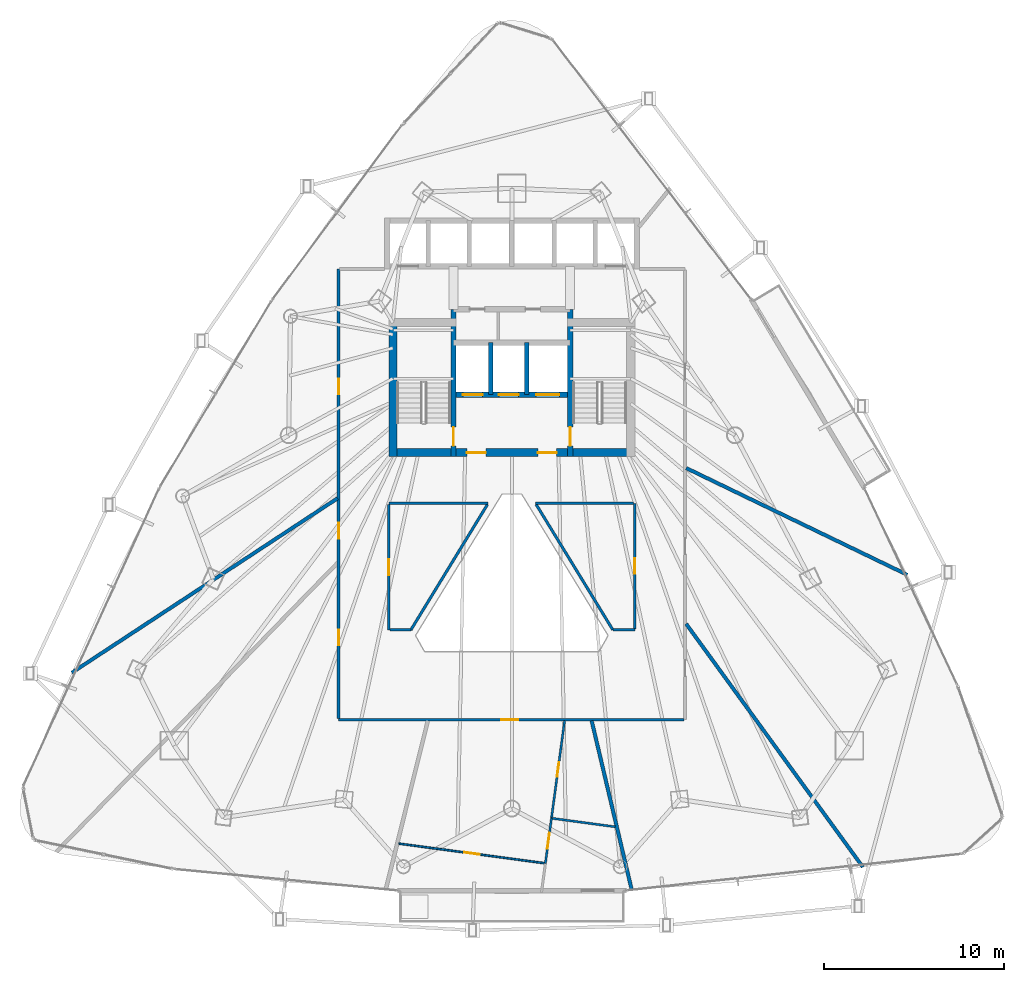
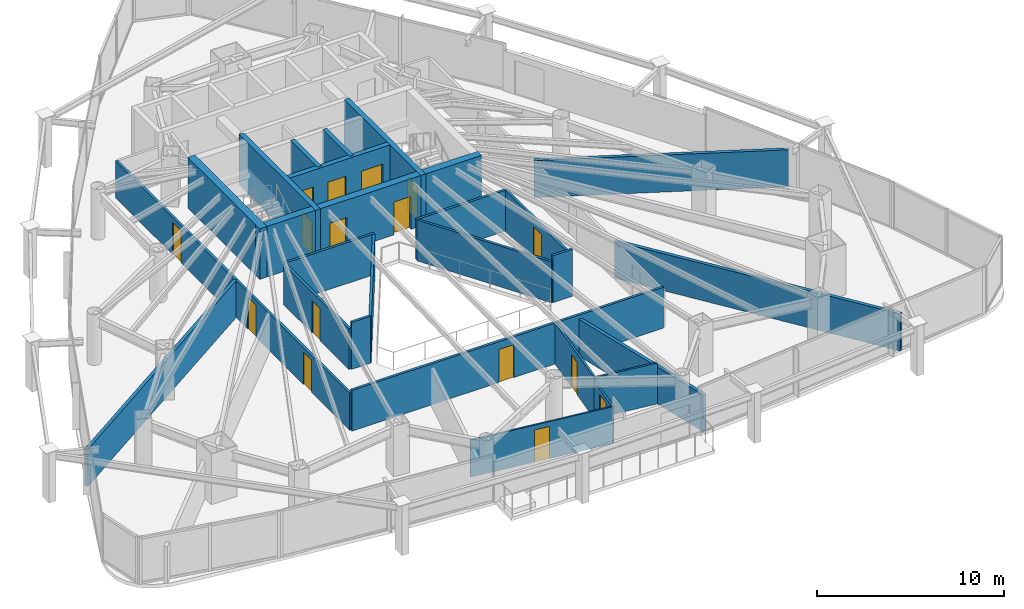
# One storey, part 29 of 33: 25 walls, 16 doors, 16 openings.
"""IFC4 building model written with IfcOpenShell, lengths in metres."""

from ifc_helpers import new_model, si_unit, direction, frame, frame_2d, origin, place, context, subcontext, project, spatial, rectangle, extrude, material, layer, layer_set, type_object, element, fill, save


model = new_model("IFC4")

# Units and contexts
model_context = context("Model", 3, precision=1e-05, world=origin(), true_north=direction((0.0, 1.0)))
body_context = subcontext(model_context, "Body", "Model", "MODEL_VIEW")
ifc_project = project(units=[si_unit("LENGTHUNIT", "METRE"), si_unit("AREAUNIT", "SQUARE_METRE"), si_unit("VOLUMEUNIT", "CUBIC_METRE"), si_unit("PLANEANGLEUNIT", "RADIAN"), si_unit("MASSUNIT", "GRAM", prefix="KILO")], contexts=[model_context])

# Site, building, storey
site_placement = place(None, origin())
site = spatial("IfcSite", under=ifc_project, at=site_placement, CompositionType="ELEMENT")
building_placement = place(site_placement, origin())
building = spatial("IfcBuilding", under=site, at=building_placement, Name="Orvanel Arch Residences", CompositionType="ELEMENT")
storey_placement = place(building_placement, frame((0.0, 0.0, 87.35009765625)))
storey = spatial("IfcBuildingStorey", under=building, at=storey_placement, Name="L24", CompositionType="ELEMENT", Elevation=87.35009765625)

# Walls
ifc_material_1 = material(Name="Concrete N50 (50 MPa)", Category="concrete")
ifc_layer_1 = layer(ifc_material_1, 0.25)
ifc_layer_set_1 = layer_set([ifc_layer_1], Name="Concrete N50 (50 MPa)")
wall_type_1 = type_object("IfcWallType", Name="SW-CORE-250", PredefinedType="SHEAR", material=ifc_layer_set_1)
for number, where, z_axis, x_axis, name in (
    (1, (31.824951171875, 29.89990234375, 0.0), (0.0, 0.0, 1.0), (0.0, 1.0, 0.0), "L24 Emergency Lift Inter-Shaft Wall F12"),
    (2, (33.824951171875, 29.89990234375, 0.0), (0.0, 0.0, 1.0), (0.0, 1.0, 0.0), "L24 Emergency Lift Inter-Shaft Wall F2G"),
):
    element("IfcWall", number, at=place(storey_placement, frame(where, z_axis=z_axis, x_axis=x_axis)), inside=storey, type_object=wall_type_1, Name=name, PredefinedType="SHEAR", context=body_context, shape_type="SweptSolid", body=[
        extrude(rectangle(XDim=2.900146484375, YDim=0.25, at=frame_2d((1.4501953125, 0.0))), origin(), (0.0, 0.0, 1.0), 3.2998046875),
    ])

# Wall, opening, door
ifc_material_2 = material(Name="Concrete S80 (80 MPa)", Category="concrete")
ifc_layer_2 = layer(ifc_material_2, 0.300048828125)
ifc_layer_set_2 = layer_set([ifc_layer_2], Name="Concrete S80 (80 MPa)")
wall_type_2 = type_object("IfcWallType", Name="SW-CORE-300", PredefinedType="SHEAR", material=ifc_layer_set_2)
wall_1_placement = place(storey_placement, frame((29.75, 26.449951171875, 0.0), z_axis=(0.0, 0.0, 1.0), x_axis=(0.0, 1.0, 0.0)))
wall_1 = element("IfcWall", 3, at=wall_1_placement, inside=storey, type_object=wall_type_2, Name="L24 West Inner Core Spine Shear Wall", PredefinedType="SHEAR", context=body_context, shape_type="SweptSolid", body=[
    extrude(rectangle(XDim=8.199951171875, YDim=0.300048828125, at=frame_2d((4.10009765625, 0.0))), origin(), (0.0, 0.0, 1.0), 3.2998046875),
])
opening_1_placement = place(wall_1_placement, frame((0.60009765625, 0.0, 0.0)))
opening_1 = element("IfcOpeningElement", 4, at=opening_1_placement, cuts=wall_1, Name="Opening DF-120", PredefinedType="OPENING", context=body_context, shape_type="SweptSolid", body=[
    extrude(rectangle(XDim=1.050048828125, YDim=2.14990234375, at=frame_2d((0.52490234375, 1.074951171875))), frame((0.0, 0.159912109375, 0.0), z_axis=(0.0, -1.0, 0.0), x_axis=(1.0, 0.0, 0.0)), (0.0, 0.0, 1.0), 0.320068359375),
])
ifc_material_3 = material(Name="Galvanised steel fire-resisting door assembly", Category="steel")
door_type_1 = type_object("IfcDoorType", Name="DR-FD120-1050", OperationType="NOTDEFINED", PredefinedType="DOOR", material=ifc_material_3)
door_1_placement = place(opening_1_placement, origin())
door_1 = element("IfcDoor", 5, at=door_1_placement, inside=storey, type_object=door_type_1, Name="DR-L24-ST1 L24 Stair 1 Fire Door", OperationType="SINGLE_SWING_LEFT", OverallHeight=2.14990234375, OverallWidth=1.050048828125, PredefinedType="DOOR", context=body_context, shape_type="SweptSolid", body=[
    extrude(rectangle(XDim=1.050048828125, YDim=2.14990234375, at=frame_2d((0.52490234375, 1.074951171875))), frame((0.0, 0.02490234375, 0.0), z_axis=(0.0, -1.0, 0.0), x_axis=(1.0, 0.0, 0.0)), (0.0, 0.0, 1.0), 0.050048828125),
])
fill(opening_1, door_1)

wall_2_placement = place(storey_placement, frame((36.25, 26.449951171875, 0.0), z_axis=(0.0, 0.0, 1.0), x_axis=(0.0, 1.0, 0.0)))
wall_2 = element("IfcWall", 6, at=wall_2_placement, inside=storey, type_object=wall_type_2, Name="L24 East Inner Core Spine Shear Wall", PredefinedType="SHEAR", context=body_context, shape_type="SweptSolid", body=[
    extrude(rectangle(XDim=8.199951171875, YDim=0.300048828125, at=frame_2d((4.10009765625, 0.0))), origin(), (0.0, 0.0, 1.0), 3.2998046875),
])
opening_2_placement = place(wall_2_placement, frame((0.60009765625, 0.0, 0.0)))
opening_2 = element("IfcOpeningElement", 7, at=opening_2_placement, cuts=wall_2, Name="Opening DF-120", PredefinedType="OPENING", context=body_context, shape_type="SweptSolid", body=[
    extrude(rectangle(XDim=1.050048828125, YDim=2.14990234375, at=frame_2d((0.52490234375, 1.074951171875))), frame((0.0, 0.159912109375, 0.0), z_axis=(0.0, -1.0, 0.0), x_axis=(1.0, 0.0, 0.0)), (0.0, 0.0, 1.0), 0.320068359375),
])
door_2_placement = place(opening_2_placement, origin())
door_2 = element("IfcDoor", 8, at=door_2_placement, inside=storey, type_object=door_type_1, Name="DR-L24-ST2 L24 Stair 2 Fire Door", OperationType="SINGLE_SWING_RIGHT", OverallHeight=2.14990234375, OverallWidth=1.050048828125, PredefinedType="DOOR", context=body_context, shape_type="SweptSolid", body=[
    extrude(rectangle(XDim=1.050048828125, YDim=2.14990234375, at=frame_2d((0.52490234375, 1.074951171875))), frame((0.0, 0.02490234375, 0.0), z_axis=(0.0, -1.0, 0.0), x_axis=(1.0, 0.0, 0.0)), (0.0, 0.0, 1.0), 0.050048828125),
])
fill(opening_2, door_2)

# Wall, openings, doors
wall_3_placement = place(storey_placement, frame((36.25, 29.89990234375, 0.0), z_axis=(0.0, 0.0, 1.0), x_axis=(-1.0, 0.0, 0.0)))
wall_3 = element("IfcWall", 9, at=wall_3_placement, inside=storey, type_object=wall_type_2, Name="L24 Emergency Lift Front Core Shear Wall", PredefinedType="SHEAR", context=body_context, shape_type="SweptSolid", body=[
    extrude(rectangle(XDim=6.5, YDim=0.300048828125, at=frame_2d((3.25, 0.0))), origin(), (0.0, 0.0, 1.0), 3.2998046875),
])
opening_3_placement = place(wall_3_placement, frame((4.875, 0.0, 0.0)))
opening_3 = element("IfcOpeningElement", 10, at=opening_3_placement, cuts=wall_3, Name="Opening LD-110", PredefinedType="OPENING", context=body_context, shape_type="SweptSolid", body=[
    extrude(rectangle(XDim=1.10009765625, YDim=2.199951171875, at=frame_2d((0.550048828125, 1.10009765625))), frame((0.0, 0.159912109375, 0.0), z_axis=(0.0, -1.0, 0.0), x_axis=(1.0, 0.0, 0.0)), (0.0, 0.0, 1.0), 0.320068359375),
])
opening_4_placement = place(wall_3_placement, frame((2.875, 0.0, 0.0)))
opening_4 = element("IfcOpeningElement", 11, at=opening_4_placement, cuts=wall_3, Name="Opening LD-110", PredefinedType="OPENING", context=body_context, shape_type="SweptSolid", body=[
    extrude(rectangle(XDim=1.10009765625, YDim=2.199951171875, at=frame_2d((0.550048828125, 1.10009765625))), frame((0.0, 0.159912109375, 0.0), z_axis=(0.0, -1.0, 0.0), x_axis=(1.0, 0.0, 0.0)), (0.0, 0.0, 1.0), 0.320068359375),
])
opening_5_placement = place(wall_3_placement, frame((0.60009765625, 0.0, 0.0)))
opening_5 = element("IfcOpeningElement", 12, at=opening_5_placement, cuts=wall_3, Name="Opening LD-130", PredefinedType="OPENING", context=body_context, shape_type="SweptSolid", body=[
    extrude(rectangle(XDim=1.300048828125, YDim=2.199951171875, at=frame_2d((0.64990234375, 1.10009765625))), frame((0.0, 0.159912109375, 0.0), z_axis=(0.0, -1.0, 0.0), x_axis=(1.0, 0.0, 0.0)), (0.0, 0.0, 1.0), 0.320068359375),
])
door_type_2 = type_object("IfcDoorType", Name="DR-LFT-1100", OperationType="NOTDEFINED", PredefinedType="DOOR", material=ifc_material_3)
door_3_placement = place(opening_3_placement, origin())
door_3 = element("IfcDoor", 13, at=door_3_placement, inside=storey, type_object=door_type_2, Name="LD-F1-L24 L24 Lift F1 Sliding Landing Door", OperationType="DOUBLE_DOOR_SLIDING", OverallHeight=2.199951171875, OverallWidth=1.10009765625, PredefinedType="DOOR", context=body_context, shape_type="SweptSolid", body=[
    extrude(rectangle(XDim=1.10009765625, YDim=2.199951171875, at=frame_2d((0.550048828125, 1.10009765625))), frame((0.0, 0.02490234375, 0.0), z_axis=(0.0, -1.0, 0.0), x_axis=(1.0, 0.0, 0.0)), (0.0, 0.0, 1.0), 0.050048828125),
])
fill(opening_3, door_3)
door_4_placement = place(opening_4_placement, origin())
door_4 = element("IfcDoor", 14, at=door_4_placement, inside=storey, type_object=door_type_2, Name="LD-F2-L24 L24 Lift F2 Sliding Landing Door", OperationType="DOUBLE_DOOR_SLIDING", OverallHeight=2.199951171875, OverallWidth=1.10009765625, PredefinedType="DOOR", context=body_context, shape_type="SweptSolid", body=[
    extrude(rectangle(XDim=1.10009765625, YDim=2.199951171875, at=frame_2d((0.550048828125, 1.10009765625))), frame((0.0, 0.02490234375, 0.0), z_axis=(0.0, -1.0, 0.0), x_axis=(1.0, 0.0, 0.0)), (0.0, 0.0, 1.0), 0.050048828125),
])
fill(opening_4, door_4)
door_type_3 = type_object("IfcDoorType", Name="DR-LFT-1300", OperationType="NOTDEFINED", PredefinedType="DOOR", material=ifc_material_3)
door_5_placement = place(opening_5_placement, origin())
door_5 = element("IfcDoor", 15, at=door_5_placement, inside=storey, type_object=door_type_3, Name="LD-G1-L24 L24 Lift G1 Sliding Landing Door", OperationType="DOUBLE_DOOR_SLIDING", OverallHeight=2.199951171875, OverallWidth=1.300048828125, PredefinedType="DOOR", context=body_context, shape_type="SweptSolid", body=[
    extrude(rectangle(XDim=1.300048828125, YDim=2.199951171875, at=frame_2d((0.64990234375, 1.10009765625))), frame((0.0, 0.02490234375, 0.0), z_axis=(0.0, -1.0, 0.0), x_axis=(1.0, 0.0, 0.0)), (0.0, 0.0, 1.0), 0.050048828125),
])
fill(opening_5, door_5)

ifc_layer_3 = layer(ifc_material_2, 0.449951171875)
ifc_layer_set_3 = layer_set([ifc_layer_3], Name="Concrete S80 (80 MPa)")
wall_type_3 = type_object("IfcWallType", Name="SW-CORE-450", PredefinedType="SHEAR", material=ifc_layer_set_3)
wall_4_placement = place(storey_placement, frame((26.14990234375, 26.675048828125, 0.0), z_axis=(0.0, 0.0, 1.0), x_axis=(1.0, 0.0, 0.0)))
wall_4 = element("IfcWall", 16, at=wall_4_placement, inside=storey, type_object=wall_type_3, Name="L24 South Core Shear Wall", PredefinedType="SHEAR", context=body_context, shape_type="SweptSolid", body=[
    extrude(rectangle(XDim=13.7001953125, YDim=0.449951171875, at=frame_2d((6.85009765625, 0.0))), origin(), (0.0, 0.0, 1.0), 3.2998046875),
])
opening_6_placement = place(wall_4_placement, frame((4.35009765625, 0.0, 0.0)))
opening_6 = element("IfcOpeningElement", 17, at=opening_6_placement, cuts=wall_4, Name="Opening DF-060", PredefinedType="OPENING", context=body_context, shape_type="SweptSolid", body=[
    extrude(rectangle(XDim=1.050048828125, YDim=2.14990234375, at=frame_2d((0.52490234375, 1.074951171875))), frame((0.0, 0.23486328125, 0.0), z_axis=(0.0, -1.0, 0.0), x_axis=(1.0, 0.0, 0.0)), (0.0, 0.0, 1.0), 0.469970703125),
])
opening_7_placement = place(wall_4_placement, frame((8.300048828125, 0.0, 0.0)))
opening_7 = element("IfcOpeningElement", 18, at=opening_7_placement, cuts=wall_4, Name="Opening DF-060", PredefinedType="OPENING", context=body_context, shape_type="SweptSolid", body=[
    extrude(rectangle(XDim=1.050048828125, YDim=2.14990234375, at=frame_2d((0.52490234375, 1.074951171875))), frame((0.0, 0.23486328125, 0.0), z_axis=(0.0, -1.0, 0.0), x_axis=(1.0, 0.0, 0.0)), (0.0, 0.0, 1.0), 0.469970703125),
])
door_type_4 = type_object("IfcDoorType", Name="DR-FD60-1050", OperationType="NOTDEFINED", PredefinedType="DOOR", material=ifc_material_3)
door_6_placement = place(opening_6_placement, origin())
door_6 = element("IfcDoor", 19, at=door_6_placement, inside=storey, type_object=door_type_4, Name="DR-L24-FFL-W L24 West Smoke Lobby Door", OperationType="SINGLE_SWING_LEFT", OverallHeight=2.14990234375, OverallWidth=1.050048828125, PredefinedType="DOOR", context=body_context, shape_type="SweptSolid", body=[
    extrude(rectangle(XDim=1.050048828125, YDim=2.14990234375, at=frame_2d((0.52490234375, 1.074951171875))), frame((0.0, 0.02490234375, 0.0), z_axis=(0.0, -1.0, 0.0), x_axis=(1.0, 0.0, 0.0)), (0.0, 0.0, 1.0), 0.050048828125),
])
fill(opening_6, door_6)
door_7_placement = place(opening_7_placement, origin())
door_7 = element("IfcDoor", 20, at=door_7_placement, inside=storey, type_object=door_type_4, Name="DR-L24-FFL-E L24 East Smoke Lobby Door", OperationType="SINGLE_SWING_RIGHT", OverallHeight=2.14990234375, OverallWidth=1.050048828125, PredefinedType="DOOR", context=body_context, shape_type="SweptSolid", body=[
    extrude(rectangle(XDim=1.050048828125, YDim=2.14990234375, at=frame_2d((0.52490234375, 1.074951171875))), frame((0.0, 0.02490234375, 0.0), z_axis=(0.0, -1.0, 0.0), x_axis=(1.0, 0.0, 0.0)), (0.0, 0.0, 1.0), 0.050048828125),
])
fill(opening_7, door_7)

# Wall
wall_5_placement = place(storey_placement, frame((26.375, 26.449951171875, 0.0), z_axis=(0.0, 0.0, 1.0), x_axis=(0.0, 1.0, 0.0)))
element("IfcWall", 21, at=wall_5_placement, inside=storey, type_object=wall_type_3, Name="L24 West Stair Shear Wall", PredefinedType="SHEAR", context=body_context, shape_type="SweptSolid", body=[
    extrude(rectangle(XDim=7.699951171875, YDim=0.449951171875, at=frame_2d((3.85009765625, 0.0))), origin(), (0.0, 0.0, 1.0), 3.2998046875),
])

# Wall, opening, door
ifc_material_4 = material(Name="Fire-rated plasterboard lined steel stud partition", Category="steel")
ifc_layer_4 = layer(ifc_material_4, 0.14990234375)
ifc_layer_set_4 = layer_set([ifc_layer_4], Name="Fire-rated plasterboard lined steel stud partition")
wall_type_4 = type_object("IfcWallType", Name="W-COR-150", PredefinedType="PARTITIONING", material=ifc_layer_set_4)
wall_6_placement = place(storey_placement, frame((42.590087890625, 11.800048828125, 0.0), z_axis=(0.0, 0.0, 1.0), x_axis=(-1.0, 0.0, 0.0)))
wall_6 = element("IfcWall", 22, at=wall_6_placement, inside=storey, type_object=wall_type_4, Name="L24 Corridor Fire-Rated Partition", PredefinedType="PARTITIONING", context=body_context, shape_type="SweptSolid", body=[
    extrude(rectangle(XDim=19.239990234375, YDim=0.14990234375, at=frame_2d((9.6201171875, 0.0))), origin(), (0.0, 0.0, 1.0), 2.6689453125),
])
opening_8_placement = place(wall_6_placement, frame((9.2451171875, 0.0, 0.0)))
opening_8 = element("IfcOpeningElement", 23, at=opening_8_placement, cuts=wall_6, Name="Opening DA-092", PredefinedType="OPENING", context=body_context, shape_type="SweptSolid", body=[
    extrude(rectangle(XDim=0.919921875, YDim=2.14990234375, at=frame_2d((0.4599609375, 1.074951171875))), frame((0.0, 0.0849609375, 0.0), z_axis=(0.0, -1.0, 0.0), x_axis=(1.0, 0.0, 0.0)), (0.0, 0.0, 1.0), 0.169921875),
])
ifc_material_5 = material(Name="Solid-core European oak veneer fire door leaf", Category="wood")
door_type_5 = type_object("IfcDoorType", Name="DR-APT-920", OperationType="NOTDEFINED", PredefinedType="DOOR", material=ifc_material_5)
door_8_placement = place(opening_8_placement, origin())
door_8 = element("IfcDoor", 24, at=door_8_placement, inside=storey, type_object=door_type_5, Name="DR-L24-F-ENT L24 Studio F Entrance Door", OperationType="SINGLE_SWING_LEFT", OverallHeight=2.14990234375, OverallWidth=0.919921875, PredefinedType="DOOR", context=body_context, shape_type="SweptSolid", body=[
    extrude(rectangle(XDim=0.919921875, YDim=2.14990234375, at=frame_2d((0.4599609375, 1.074951171875))), frame((0.0, 0.02490234375, 0.0), z_axis=(0.0, -1.0, 0.0), x_axis=(1.0, 0.0, 0.0)), (0.0, 0.0, 1.0), 0.050048828125),
])
fill(opening_8, door_8)

# Wall, openings, doors
wall_7_placement = place(storey_placement, frame((23.35009765625, 11.860107421875, 0.0), z_axis=(0.0, 0.0, 1.0), x_axis=(0.0, 1.0, 0.0)))
wall_7 = element("IfcWall", 25, at=wall_7_placement, inside=storey, type_object=wall_type_4, Name="L24 Corridor Fire-Rated Partition", PredefinedType="PARTITIONING", context=body_context, shape_type="SweptSolid", body=[
    extrude(rectangle(XDim=25.039794921875, YDim=0.14990234375, at=frame_2d((12.52001953125, 0.0))), origin(), (0.0, 0.0, 1.0), 2.412841796875),
])
opening_9_placement = place(wall_7_placement, frame((18.06103515625, 0.0, 0.0)))
opening_9 = element("IfcOpeningElement", 26, at=opening_9_placement, cuts=wall_7, Name="Opening DI-088", PredefinedType="OPENING", context=body_context, shape_type="SweptSolid", body=[
    extrude(rectangle(XDim=0.8798828125, YDim=2.10009765625, at=frame_2d((0.43994140625, 1.050048828125))), frame((0.0, 0.0849609375, 0.0), z_axis=(0.0, -1.0, 0.0), x_axis=(1.0, 0.0, 0.0)), (0.0, 0.0, 1.0), 0.169921875),
])
opening_10_placement = place(wall_7_placement, frame((4.072998046875, 0.0, 0.0)))
opening_10 = element("IfcOpeningElement", 27, at=opening_10_placement, cuts=wall_7, Name="Opening DI-088", PredefinedType="OPENING", context=body_context, shape_type="SweptSolid", body=[
    extrude(rectangle(XDim=0.8798828125, YDim=2.10009765625, at=frame_2d((0.43994140625, 1.050048828125))), frame((0.0, 0.0849609375, 0.0), z_axis=(0.0, -1.0, 0.0), x_axis=(1.0, 0.0, 0.0)), (0.0, 0.0, 1.0), 0.169921875),
])
opening_11_placement = place(wall_7_placement, frame((10.028076171875, 0.0, 0.0)))
opening_11 = element("IfcOpeningElement", 28, at=opening_11_placement, cuts=wall_7, Name="Opening DI-088", PredefinedType="OPENING", context=body_context, shape_type="SweptSolid", body=[
    extrude(rectangle(XDim=0.8798828125, YDim=2.10009765625, at=frame_2d((0.43994140625, 1.050048828125))), frame((0.0, 0.0849609375, 0.0), z_axis=(0.0, -1.0, 0.0), x_axis=(1.0, 0.0, 0.0)), (0.0, 0.0, 1.0), 0.169921875),
])
door_type_6 = type_object("IfcDoorType", Name="DR-INT-880", OperationType="NOTDEFINED", PredefinedType="DOOR", material=ifc_material_5)
door_9_placement = place(opening_9_placement, origin())
door_9 = element("IfcDoor", 29, at=door_9_placement, inside=storey, type_object=door_type_6, Name="DR-L24-SHRD-FB1 L24 Co-Working Study Office A Door", OperationType="SINGLE_SWING_LEFT", OverallHeight=2.10009765625, OverallWidth=0.8798828125, PredefinedType="DOOR", context=body_context, shape_type="SweptSolid", body=[
    extrude(rectangle(XDim=0.8798828125, YDim=2.10009765625, at=frame_2d((0.43994140625, 1.050048828125))), frame((0.0, 0.02490234375, 0.0), z_axis=(0.0, -1.0, 0.0), x_axis=(1.0, 0.0, 0.0)), (0.0, 0.0, 1.0), 0.050048828125),
])
fill(opening_9, door_9)
door_10_placement = place(opening_10_placement, origin())
door_10 = element("IfcDoor", 30, at=door_10_placement, inside=storey, type_object=door_type_6, Name="DR-L24-SHRD-FB3 L24 Co-Working Study Office C Door", OperationType="SINGLE_SWING_LEFT", OverallHeight=2.10009765625, OverallWidth=0.8798828125, PredefinedType="DOOR", context=body_context, shape_type="SweptSolid", body=[
    extrude(rectangle(XDim=0.8798828125, YDim=2.10009765625, at=frame_2d((0.43994140625, 1.050048828125))), frame((0.0, 0.02490234375, 0.0), z_axis=(0.0, -1.0, 0.0), x_axis=(1.0, 0.0, 0.0)), (0.0, 0.0, 1.0), 0.050048828125),
])
fill(opening_10, door_10)
door_11_placement = place(opening_11_placement, origin())
door_11 = element("IfcDoor", 31, at=door_11_placement, inside=storey, type_object=door_type_6, Name="DR-L24-SHRD-FB5 L24 Co-Working Study Office E Door", OperationType="SINGLE_SWING_LEFT", OverallHeight=2.10009765625, OverallWidth=0.8798828125, PredefinedType="DOOR", context=body_context, shape_type="SweptSolid", body=[
    extrude(rectangle(XDim=0.8798828125, YDim=2.10009765625, at=frame_2d((0.43994140625, 1.050048828125))), frame((0.0, 0.02490234375, 0.0), z_axis=(0.0, -1.0, 0.0), x_axis=(1.0, 0.0, 0.0)), (0.0, 0.0, 1.0), 0.050048828125),
])
fill(opening_11, door_11)

# Wall
wall_8_placement = place(storey_placement, frame((31.68310546875, 23.85009765625, 0.0), z_axis=(0.0, 0.0, 1.0), x_axis=(-1.0, 0.0, 0.0)))
element("IfcWall", 32, at=wall_8_placement, inside=storey, type_object=wall_type_4, Name="L24 Corridor Fire-Rated Partition", PredefinedType="PARTITIONING", context=body_context, shape_type="SweptSolid", body=[
    extrude(rectangle(XDim=5.533203125, YDim=0.14990234375, at=frame_2d((2.7666015625, 0.0))), origin(), (0.0, 0.0, 1.0), 2.6689453125),
])

# Wall, opening, door
wall_9_placement = place(storey_placement, frame((26.14990234375, 23.7900390625, 0.0), z_axis=(0.0, 0.0, 1.0), x_axis=(0.0, -1.0, 0.0)))
wall_9 = element("IfcWall", 33, at=wall_9_placement, inside=storey, type_object=wall_type_4, Name="L24 Corridor Fire-Rated Partition", PredefinedType="PARTITIONING", context=body_context, shape_type="SweptSolid", body=[
    extrude(rectangle(XDim=6.989990234375, YDim=0.14990234375, at=frame_2d((3.4951171875, 0.0))), origin(), (0.0, 0.0, 1.0), 2.6689453125),
])
opening_12_placement = place(wall_9_placement, frame((3.054931640625, 0.0, 0.0)))
opening_12 = element("IfcOpeningElement", 34, at=opening_12_placement, cuts=wall_9, Name="Opening DI-088", PredefinedType="OPENING", context=body_context, shape_type="SweptSolid", body=[
    extrude(rectangle(XDim=0.8798828125, YDim=2.10009765625, at=frame_2d((0.43994140625, 1.050048828125))), frame((0.0, 0.0849609375, 0.0), z_axis=(0.0, -1.0, 0.0), x_axis=(1.0, 0.0, 0.0)), (0.0, 0.0, 1.0), 0.169921875),
])
door_12_placement = place(opening_12_placement, origin())
door_12 = element("IfcDoor", 35, at=door_12_placement, inside=storey, type_object=door_type_6, Name="DR-L24-SHRD-FB9 L24 Co-Working Study Office I Door", OperationType="SINGLE_SWING_LEFT", OverallHeight=2.10009765625, OverallWidth=0.8798828125, PredefinedType="DOOR", context=body_context, shape_type="SweptSolid", body=[
    extrude(rectangle(XDim=0.8798828125, YDim=2.10009765625, at=frame_2d((0.43994140625, 1.050048828125))), frame((0.0, 0.02490234375, 0.0), z_axis=(0.0, -1.0, 0.0), x_axis=(1.0, 0.0, 0.0)), (0.0, 0.0, 1.0), 0.050048828125),
])
fill(opening_12, door_12)

# Walls
wall_10_placement = place(storey_placement, frame((26.2099609375, 16.800048828125, 0.0), z_axis=(0.0, 0.0, 1.0), x_axis=(1.0, 0.0, 0.0)))
element("IfcWall", 36, at=wall_10_placement, inside=storey, type_object=wall_type_4, Name="L24 Corridor Fire-Rated Partition", PredefinedType="PARTITIONING", context=body_context, shape_type="SweptSolid", body=[
    extrude(rectangle(XDim=1.1630859375, YDim=0.14990234375, at=frame_2d((0.58154296875, 0.0))), origin(), (0.0, 0.0, 1.0), 3.059814453125),
])
wall_11_placement = place(storey_placement, frame((38.626953125, 16.800048828125, 0.0), z_axis=(0.0, 0.0, 1.0), x_axis=(1.0, 0.0, 0.0)))
element("IfcWall", 37, at=wall_11_placement, inside=storey, type_object=wall_type_4, Name="L24 Corridor Fire-Rated Partition", PredefinedType="PARTITIONING", context=body_context, shape_type="SweptSolid", body=[
    extrude(rectangle(XDim=1.22314453125, YDim=0.14990234375, at=frame_2d((0.611572265625, 0.0))), origin(), (0.0, 0.0, 1.0), 3.059814453125),
])

# Wall, opening, door
wall_12_placement = place(storey_placement, frame((39.85009765625, 16.860107421875, 0.0), z_axis=(0.0, 0.0, 1.0), x_axis=(0.0, 1.0, 0.0)))
wall_12 = element("IfcWall", 38, at=wall_12_placement, inside=storey, type_object=wall_type_4, Name="L24 Corridor Fire-Rated Partition", PredefinedType="PARTITIONING", context=body_context, shape_type="SweptSolid", body=[
    extrude(rectangle(XDim=6.989990234375, YDim=0.14990234375, at=frame_2d((3.4951171875, 0.0))), origin(), (0.0, 0.0, 1.0), 2.6689453125),
])
opening_13_placement = place(wall_12_placement, frame((3.054931640625, 0.0, 0.0)))
opening_13 = element("IfcOpeningElement", 39, at=opening_13_placement, cuts=wall_12, Name="Opening DI-088", PredefinedType="OPENING", context=body_context, shape_type="SweptSolid", body=[
    extrude(rectangle(XDim=0.8798828125, YDim=2.10009765625, at=frame_2d((0.43994140625, 1.050048828125))), frame((0.0, 0.0849609375, 0.0), z_axis=(0.0, -1.0, 0.0), x_axis=(1.0, 0.0, 0.0)), (0.0, 0.0, 1.0), 0.169921875),
])
door_13_placement = place(opening_13_placement, origin())
door_13 = element("IfcDoor", 40, at=door_13_placement, inside=storey, type_object=door_type_6, Name="DR-L24-SHRD-FB8 L24 Co-Working Study Office H Door", OperationType="SINGLE_SWING_LEFT", OverallHeight=2.10009765625, OverallWidth=0.8798828125, PredefinedType="DOOR", context=body_context, shape_type="SweptSolid", body=[
    extrude(rectangle(XDim=0.8798828125, YDim=2.10009765625, at=frame_2d((0.43994140625, 1.050048828125))), frame((0.0, 0.02490234375, 0.0), z_axis=(0.0, -1.0, 0.0), x_axis=(1.0, 0.0, 0.0)), (0.0, 0.0, 1.0), 0.050048828125),
])
fill(opening_13, door_13)

# Walls
wall_13_placement = place(storey_placement, frame((39.7900390625, 23.85009765625, 0.0), z_axis=(0.0, 0.0, 1.0), x_axis=(-1.0, 0.0, 0.0)))
element("IfcWall", 41, at=wall_13_placement, inside=storey, type_object=wall_type_4, Name="L24 Corridor Fire-Rated Partition", PredefinedType="PARTITIONING", context=body_context, shape_type="SweptSolid", body=[
    extrude(rectangle(XDim=5.47314453125, YDim=0.14990234375, at=frame_2d((2.736572265625, 0.0))), origin(), (0.0, 0.0, 1.0), 2.6689453125),
])
wall_14_placement = place(storey_placement, frame((27.373046875, 16.7900390625, 0.0), z_axis=(0.0, 0.0, 1.0), x_axis=(0.52102126657, 0.853543695297, 0.0)))
element("IfcWall", 42, at=wall_14_placement, inside=storey, type_object=wall_type_4, Name="L24 Atrium Overlook Glazed Partition", PredefinedType="PARTITIONING", context=body_context, shape_type="SweptSolid", body=[
    extrude(rectangle(XDim=8.201171875, YDim=0.14990234375, at=frame_2d((4.1005859375, 0.0))), origin(), (0.0, 0.0, 1.0), 2.6689453125),
])
wall_15_placement = place(storey_placement, frame((34.35400390625, 23.7900390625, 0.0), z_axis=(0.0, 0.0, 1.0), x_axis=(0.521564518198, -0.853211845533, 0.0)))
element("IfcWall", 43, at=wall_15_placement, inside=storey, type_object=wall_type_4, Name="L24 Atrium Overlook Glazed Partition", PredefinedType="PARTITIONING", context=body_context, shape_type="SweptSolid", body=[
    extrude(rectangle(XDim=8.192626953125, YDim=0.14990234375, at=frame_2d((4.09619140625, 0.0))), origin(), (0.0, 0.0, 1.0), 2.6689453125),
])
ifc_layer_5 = layer(ifc_material_4, 0.199951171875)
ifc_layer_set_5 = layer_set([ifc_layer_5], Name="Fire-rated plasterboard lined steel stud partition")
wall_type_5 = type_object("IfcWallType", Name="W-DEM-200", PredefinedType="PARTITIONING", material=ifc_layer_set_5)
wall_16_placement = place(storey_placement, frame((23.2900390625, 24.126953125, 0.0), z_axis=(0.0, 0.0, 1.0), x_axis=(-0.835988009382, -0.548747709034, 0.0)))
element("IfcWall", 44, at=wall_16_placement, inside=storey, type_object=wall_type_5, Name="L24 Inter-Tenancy Acoustic Demising Wall", PredefinedType="PARTITIONING", context=body_context, shape_type="SweptSolid", body=[
    extrude(rectangle(XDim=17.70361328125, YDim=0.199951171875, at=frame_2d((8.851806640625, 0.0))), origin(), (0.0, 0.0, 1.0), 2.412841796875),
])
wall_17_placement = place(storey_placement, frame((52.556884765625, 3.58203125, 0.0), z_axis=(0.0, 0.0, 1.0), x_axis=(-0.587789493476, 0.809013912958, 0.0)))
element("IfcWall", 45, at=wall_17_placement, inside=storey, type_object=wall_type_5, Name="L24 Inter-Tenancy Acoustic Demising Wall", PredefinedType="PARTITIONING", context=body_context, shape_type="SweptSolid", body=[
    extrude(rectangle(XDim=16.75244140625, YDim=0.199951171875, at=frame_2d((8.376220703125, 0.0))), origin(), (0.0, 0.0, 1.0), 2.412841796875),
])
wall_18_placement = place(storey_placement, frame((42.7099609375, 25.81298828125, 0.0), z_axis=(0.0, 0.0, 1.0), x_axis=(0.900554286339, -0.434743576556, 0.0)))
element("IfcWall", 46, at=wall_18_placement, inside=storey, type_object=wall_type_5, Name="L24 Inter-Tenancy Acoustic Demising Wall", PredefinedType="PARTITIONING", context=body_context, shape_type="SweptSolid", body=[
    extrude(rectangle(XDim=13.681640625, YDim=0.199951171875, at=frame_2d((6.8408203125, 0.0))), origin(), (0.0, 0.0, 1.0), 2.412841796875),
])
wall_19_placement = place(storey_placement, frame((39.679931640625, 2.31591796875, 0.0), z_axis=(0.0, 0.0, 1.0), x_axis=(-0.230553694048, 0.973059604629, 0.0)))
element("IfcWall", 47, at=wall_19_placement, inside=storey, type_object=wall_type_5, Name="L24 Inter-Tenancy Acoustic Demising Wall", PredefinedType="PARTITIONING", context=body_context, shape_type="SweptSolid", body=[
    extrude(rectangle(XDim=9.68505859375, YDim=0.199951171875, at=frame_2d((4.842529296875, 0.0))), origin(), (0.0, 0.0, 1.0), 2.412841796875),
])

# Wall, opening, door
ifc_material_6 = material(Name="Acoustic plasterboard lined twin-stud partition", Category="gypsum")
ifc_layer_6 = layer(ifc_material_6, 0.10009765625)
ifc_layer_set_6 = layer_set([ifc_layer_6], Name="Acoustic plasterboard lined twin-stud partition")
wall_type_6 = type_object("IfcWallType", Name="W-INT-100", PredefinedType="PARTITIONING", material=ifc_layer_set_6)
wall_20_placement = place(storey_placement, frame((34.87109375, 3.79296875, 0.0), z_axis=(0.0, 0.0, 1.0), x_axis=(-0.991052148622, 0.133475236324, 0.0)))
wall_20 = element("IfcWall", 48, at=wall_20_placement, inside=storey, type_object=wall_type_6, Name="L24 Studio F Internal Partition", PredefinedType="PARTITIONING", context=body_context, shape_type="SweptSolid", body=[
    extrude(rectangle(XDim=8.241943359375, YDim=0.10009765625, at=frame_2d((4.12109375, 0.0))), origin(), (0.0, 0.0, 1.0), 2.412841796875),
])
opening_14_placement = place(wall_20_placement, frame((3.680908203125, 0.0, 0.0)))
opening_14 = element("IfcOpeningElement", 49, at=opening_14_placement, cuts=wall_20, Name="Opening DI-088", PredefinedType="OPENING", context=body_context, shape_type="SweptSolid", body=[
    extrude(rectangle(XDim=0.8798828125, YDim=2.10009765625, at=frame_2d((0.43994140625, 1.050048828125))), frame((0.0, 0.06005859375, 0.0), z_axis=(0.0, -1.0, 0.0), x_axis=(1.0, 0.0, 0.0)), (0.0, 0.0, 1.0), 0.1201171875),
])
door_14_placement = place(opening_14_placement, origin())
door_14 = element("IfcDoor", 50, at=door_14_placement, inside=storey, type_object=door_type_6, Name="DR-L24-F-RET1 L24 Studio F Atelier Craft Showroom 1 Door", OperationType="SINGLE_SWING_LEFT", OverallHeight=2.10009765625, OverallWidth=0.8798828125, PredefinedType="DOOR", context=body_context, shape_type="SweptSolid", body=[
    extrude(rectangle(XDim=0.8798828125, YDim=2.10009765625, at=frame_2d((0.43994140625, 1.050048828125))), frame((0.0, 0.02490234375, 0.0), z_axis=(0.0, -1.0, 0.0), x_axis=(1.0, 0.0, 0.0)), (0.0, 0.0, 1.0), 0.050048828125),
])
fill(opening_14, door_14)

ifc_layer_7 = layer(ifc_material_6, 0.1201171875)
ifc_layer_set_7 = layer_set([ifc_layer_7], Name="Acoustic plasterboard lined twin-stud partition")
wall_type_7 = type_object("IfcWallType", Name="W-WET-120", PredefinedType="PARTITIONING", material=ifc_layer_set_7)
wall_21_placement = place(storey_placement, frame((35.94091796875, 11.739990234375, 0.0), z_axis=(0.0, 0.0, 1.0), x_axis=(-0.133464146048, -0.991053642201, 0.0)))
wall_21 = element("IfcWall", 51, at=wall_21_placement, inside=storey, type_object=wall_type_7, Name="L24 Studio F Bathroom Partition", PredefinedType="PARTITIONING", context=body_context, shape_type="SweptSolid", body=[
    extrude(rectangle(XDim=5.484130859375, YDim=0.1201171875, at=frame_2d((2.7421875, 0.0))), origin(), (0.0, 0.0, 1.0), 2.6689453125),
])
opening_15_placement = place(wall_21_placement, frame((2.33203125, 0.0, 0.0)))
opening_15 = element("IfcOpeningElement", 52, at=opening_15_placement, cuts=wall_21, Name="Opening DW-082", PredefinedType="OPENING", context=body_context, shape_type="SweptSolid", body=[
    extrude(rectangle(XDim=0.820068359375, YDim=2.10009765625, at=frame_2d((0.41015625, 1.050048828125))), frame((0.0, 0.070068359375, 0.0), z_axis=(0.0, -1.0, 0.0), x_axis=(1.0, 0.0, 0.0)), (0.0, 0.0, 1.0), 0.14013671875),
])
door_type_7 = type_object("IfcDoorType", Name="DR-WET-820", OperationType="NOTDEFINED", PredefinedType="DOOR", material=ifc_material_5)
door_15_placement = place(opening_15_placement, origin())
door_15 = element("IfcDoor", 53, at=door_15_placement, inside=storey, type_object=door_type_7, Name="DR-L24-F-BATH L24 Studio F Bathroom Door", OperationType="SINGLE_SWING_RIGHT", OverallHeight=2.10009765625, OverallWidth=0.820068359375, PredefinedType="DOOR", context=body_context, shape_type="SweptSolid", body=[
    extrude(rectangle(XDim=0.820068359375, YDim=2.10009765625, at=frame_2d((0.41015625, 1.050048828125))), frame((0.0, 0.02490234375, 0.0), z_axis=(0.0, -1.0, 0.0), x_axis=(1.0, 0.0, 0.0)), (0.0, 0.0, 1.0), 0.050048828125),
])
fill(opening_15, door_15)

wall_22_placement = place(storey_placement, frame((35.208984375, 6.304931640625, 0.0), z_axis=(0.0, 0.0, 1.0), x_axis=(-0.133311944021, -0.991074127188, 0.0)))
wall_22 = element("IfcWall", 54, at=wall_22_placement, inside=storey, type_object=wall_type_7, Name="L24 Studio F Internal Partition", PredefinedType="PARTITIONING", context=body_context, shape_type="SweptSolid", body=[
    extrude(rectangle(XDim=2.53466796875, YDim=0.1201171875, at=frame_2d((1.267333984375, 0.0))), origin(), (0.0, 0.0, 1.0), 2.412841796875),
])
opening_16_placement = place(wall_22_placement, frame((0.826904296875, 0.0, 0.0)))
opening_16 = element("IfcOpeningElement", 55, at=opening_16_placement, cuts=wall_22, Name="Opening DI-088", PredefinedType="OPENING", context=body_context, shape_type="SweptSolid", body=[
    extrude(rectangle(XDim=0.8798828125, YDim=2.10009765625, at=frame_2d((0.43994140625, 1.050048828125))), frame((0.0, 0.070068359375, 0.0), z_axis=(0.0, -1.0, 0.0), x_axis=(1.0, 0.0, 0.0)), (0.0, 0.0, 1.0), 0.14013671875),
])
door_16_placement = place(opening_16_placement, origin())
door_16 = element("IfcDoor", 56, at=door_16_placement, inside=storey, type_object=door_type_6, Name="DR-L24-F-KIT L24 Studio F Kitchenette Door", OperationType="SINGLE_SWING_LEFT", OverallHeight=2.10009765625, OverallWidth=0.8798828125, PredefinedType="DOOR", context=body_context, shape_type="SweptSolid", body=[
    extrude(rectangle(XDim=0.8798828125, YDim=2.10009765625, at=frame_2d((0.43994140625, 1.050048828125))), frame((0.0, 0.02490234375, 0.0), z_axis=(0.0, -1.0, 0.0), x_axis=(1.0, 0.0, 0.0)), (0.0, 0.0, 1.0), 0.050048828125),
])
fill(opening_16, door_16)

# Wall
wall_23_placement = place(storey_placement, frame((38.760986328125, 5.826904296875, 0.0), z_axis=(0.0, 0.0, 1.0), x_axis=(-0.991065337555, 0.133377272042, 0.0)))
element("IfcWall", 57, at=wall_23_placement, inside=storey, type_object=wall_type_7, Name="L24 Studio F Bathroom Partition", PredefinedType="PARTITIONING", context=body_context, shape_type="SweptSolid", body=[
    extrude(rectangle(XDim=3.583984375, YDim=0.1201171875, at=frame_2d((1.7919921875, 0.0))), origin(), (0.0, 0.0, 1.0), 2.6689453125),
])

save(model, "model.ifc")
